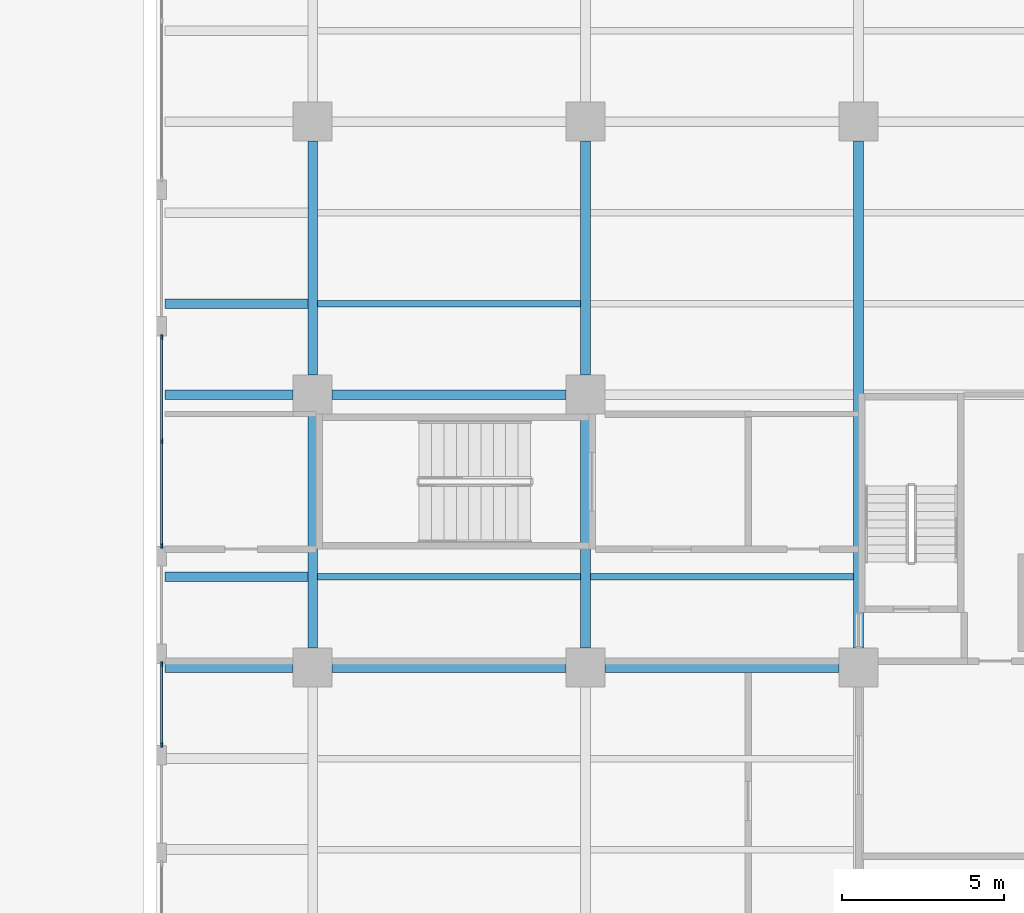
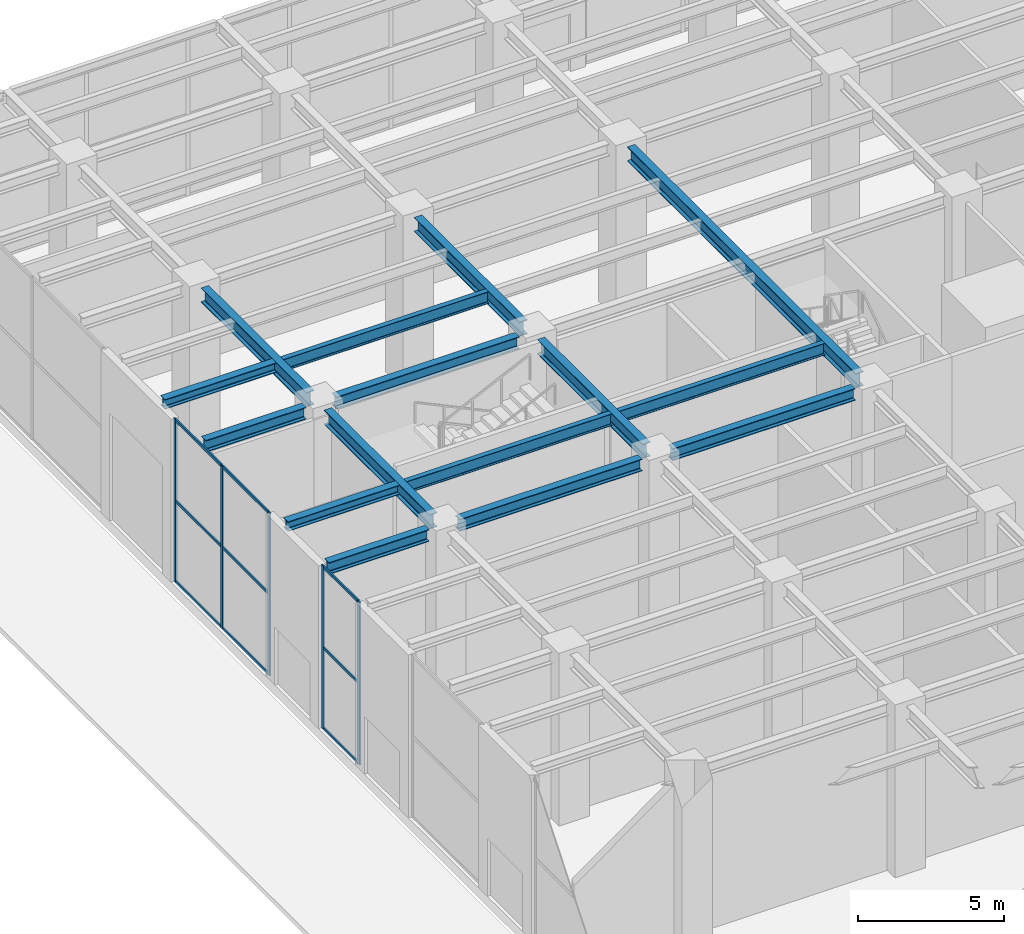
# One storey, part 15 of 43: 15 beams, 14 members, 2 elements without a shape of their own.
"""IFC4 building model written with IfcOpenShell, lengths in metres."""

from ifc_helpers import new_model, si_unit, direction, frame, origin, origin_2d, place, context, subcontext, project, spatial, rectangle, i_section, extrude, material, material_profile, profile_set, type_object, element, aggregate, save


model = new_model("IFC4")

# Units and contexts
model_context = context("Model", 3, precision=1e-05, world=origin(), true_north=direction((0.0, 1.0)))
body_context = subcontext(model_context, "Body", "Model", "MODEL_VIEW")
ifc_project = project(units=[si_unit("LENGTHUNIT", "METRE"), si_unit("AREAUNIT", "SQUARE_METRE"), si_unit("VOLUMEUNIT", "CUBIC_METRE"), si_unit("PLANEANGLEUNIT", "RADIAN"), si_unit("MASSUNIT", "GRAM", prefix="KILO")], contexts=[model_context])

# Site, building, storey
site_placement = place(None, origin())
site = spatial("IfcSite", under=ifc_project, at=site_placement, CompositionType="ELEMENT")
building_placement = place(site_placement, origin())
building = spatial("IfcBuilding", under=site, at=building_placement, Name="Khepri Terraces", CompositionType="ELEMENT")
storey_placement = place(building_placement, origin())
storey = spatial("IfcBuildingStorey", under=building, at=storey_placement, Name="L00", CompositionType="ELEMENT", Elevation=0.0)

# Curtain wall, members
ifc_material_1 = material(Name="Anodised aluminium bronze curtain wall", Category="aluminium")
curtain_wall_type = type_object("IfcCurtainWallType", Name="CW-SYS1-LOBBY", PredefinedType="NOTDEFINED", material=ifc_material_1)
curtain_wall_1_placement = place(storey_placement, origin())
curtain_wall_1 = element("IfcCurtainWall", 1, at=curtain_wall_1_placement, inside=storey, type_object=curtain_wall_type, Name="Curtain wall CW1 L00 W", PredefinedType="NOTDEFINED")
ifc_material_2 = material(Name="Anodised aluminium bronze", Category="aluminium")
ifc_material_profile_1 = material_profile(ifc_material_2, rectangle(XDim=0.06005859375, YDim=0.159912109375, at=origin_2d()), Name="Anodised aluminium bronze", Category="aluminium")
ifc_profile_set_1 = profile_set([ifc_material_profile_1], Name="Anodised aluminium bronze")
member_type_1 = type_object("IfcMemberType", Name="CW-MULLION-60x160", PredefinedType="MULLION", material=ifc_profile_set_1)
member_1_placement = place(storey_placement, frame((-46.64990234375, 26.969970703125, 0.0), z_axis=(0.0, 0.0, 1.0), x_axis=(1.0, 0.0, 0.0)))
member_1 = element("IfcMember", 2, at=member_1_placement, type_object=member_type_1, Name="CW1 mullion 1", PredefinedType="MULLION", context=body_context, shape_type="SweptSolid", body=[
    extrude(rectangle(XDim=0.06005859375, YDim=0.159912109375, at=origin_2d()), origin(), (0.0, 0.0, 1.0), 6.780029296875),
])
member_2_placement = place(storey_placement, frame((-46.64990234375, 23.762451171875, 0.0), z_axis=(0.0, 0.0, 1.0), x_axis=(1.0, 0.0, 0.0)))
member_2 = element("IfcMember", 3, at=member_2_placement, type_object=member_type_1, Name="CW1 mullion 2", PredefinedType="MULLION", context=body_context, shape_type="SweptSolid", body=[
    extrude(rectangle(XDim=0.06005859375, YDim=0.159912109375, at=origin_2d()), origin(), (0.0, 0.0, 1.0), 6.780029296875),
])
member_3_placement = place(storey_placement, frame((-46.64990234375, 20.554931640625, 0.0), z_axis=(0.0, 0.0, 1.0), x_axis=(1.0, 0.0, 0.0)))
member_3 = element("IfcMember", 4, at=member_3_placement, type_object=member_type_1, Name="CW1 mullion 3", PredefinedType="MULLION", context=body_context, shape_type="SweptSolid", body=[
    extrude(rectangle(XDim=0.06005859375, YDim=0.159912109375, at=origin_2d()), origin(), (0.0, 0.0, 1.0), 6.780029296875),
])

curtain_wall_2_placement = place(storey_placement, origin())
curtain_wall_2 = element("IfcCurtainWall", 5, at=curtain_wall_2_placement, inside=storey, type_object=curtain_wall_type, Name="Curtain wall CW1 L00 W", PredefinedType="NOTDEFINED")
member_4_placement = place(storey_placement, frame((-46.64990234375, 16.89501953125, 0.0), z_axis=(0.0, 0.0, 1.0), x_axis=(1.0, 0.0, 0.0)))
member_4 = element("IfcMember", 6, at=member_4_placement, type_object=member_type_1, Name="CW1 mullion 1", PredefinedType="MULLION", context=body_context, shape_type="SweptSolid", body=[
    extrude(rectangle(XDim=0.06005859375, YDim=0.159912109375, at=origin_2d()), origin(), (0.0, 0.0, 1.0), 6.780029296875),
])
member_5_placement = place(storey_placement, frame((-46.64990234375, 14.429931640625, 0.0), z_axis=(0.0, 0.0, 1.0), x_axis=(1.0, 0.0, 0.0)))
member_5 = element("IfcMember", 7, at=member_5_placement, type_object=member_type_1, Name="CW1 mullion 2", PredefinedType="MULLION", context=body_context, shape_type="SweptSolid", body=[
    extrude(rectangle(XDim=0.06005859375, YDim=0.159912109375, at=origin_2d()), origin(), (0.0, 0.0, 1.0), 6.780029296875),
])

# Member
ifc_material_profile_2 = material_profile(ifc_material_2, rectangle(XDim=0.06005859375, YDim=0.1201171875, at=origin_2d()), Name="Anodised aluminium bronze", Category="aluminium")
ifc_profile_set_2 = profile_set([ifc_material_profile_2], Name="Anodised aluminium bronze")
member_type_2 = type_object("IfcMemberType", Name="CW-TRANSOM-60x120", PredefinedType="USERDEFINED", material=ifc_profile_set_2)
member_6_placement = place(storey_placement, frame((-46.64990234375, 26.93994140625, 0.030029296875), z_axis=(0.0, -1.0, 0.0), x_axis=(1.0, 0.0, 0.0)))
member_6 = element("IfcMember", 8, at=member_6_placement, type_object=member_type_2, Name="CW1 transom 1.1", ObjectType="TRANSOM", PredefinedType="USERDEFINED", context=body_context, shape_type="SweptSolid", body=[
    extrude(rectangle(XDim=0.06005859375, YDim=0.1201171875, at=origin_2d()), origin(), (0.0, 0.0, 1.0), 3.1474609375),
])

member_7_placement = place(storey_placement, frame((-46.64990234375, 26.93994140625, 3.389892578125), z_axis=(0.0, -1.0, 0.0), x_axis=(1.0, 0.0, 0.0)))
member_7 = element("IfcMember", 9, at=member_7_placement, type_object=member_type_2, Name="CW1 transom 1.2", ObjectType="TRANSOM", PredefinedType="USERDEFINED", context=body_context, shape_type="SweptSolid", body=[
    extrude(rectangle(XDim=0.06005859375, YDim=0.1201171875, at=origin_2d()), origin(), (0.0, 0.0, 1.0), 3.1474609375),
])

member_8_placement = place(storey_placement, frame((-46.64990234375, 26.93994140625, 6.75), z_axis=(0.0, -1.0, 0.0), x_axis=(1.0, 0.0, 0.0)))
member_8 = element("IfcMember", 10, at=member_8_placement, type_object=member_type_2, Name="CW1 transom 1.3", ObjectType="TRANSOM", PredefinedType="USERDEFINED", context=body_context, shape_type="SweptSolid", body=[
    extrude(rectangle(XDim=0.06005859375, YDim=0.1201171875, at=origin_2d()), origin(), (0.0, 0.0, 1.0), 3.1474609375),
])

member_9_placement = place(storey_placement, frame((-46.64990234375, 23.732421875, 0.030029296875), z_axis=(0.0, -1.0, 0.0), x_axis=(1.0, 0.0, 0.0)))
member_9 = element("IfcMember", 11, at=member_9_placement, type_object=member_type_2, Name="CW1 transom 2.1", ObjectType="TRANSOM", PredefinedType="USERDEFINED", context=body_context, shape_type="SweptSolid", body=[
    extrude(rectangle(XDim=0.06005859375, YDim=0.1201171875, at=origin_2d()), origin(), (0.0, 0.0, 1.0), 3.1474609375),
])

member_10_placement = place(storey_placement, frame((-46.64990234375, 23.732421875, 3.389892578125), z_axis=(0.0, -1.0, 0.0), x_axis=(1.0, 0.0, 0.0)))
member_10 = element("IfcMember", 12, at=member_10_placement, type_object=member_type_2, Name="CW1 transom 2.2", ObjectType="TRANSOM", PredefinedType="USERDEFINED", context=body_context, shape_type="SweptSolid", body=[
    extrude(rectangle(XDim=0.06005859375, YDim=0.1201171875, at=origin_2d()), origin(), (0.0, 0.0, 1.0), 3.1474609375),
])

member_11_placement = place(storey_placement, frame((-46.64990234375, 23.732421875, 6.75), z_axis=(0.0, -1.0, 0.0), x_axis=(1.0, 0.0, 0.0)))
member_11 = element("IfcMember", 13, at=member_11_placement, type_object=member_type_2, Name="CW1 transom 2.3", ObjectType="TRANSOM", PredefinedType="USERDEFINED", context=body_context, shape_type="SweptSolid", body=[
    extrude(rectangle(XDim=0.06005859375, YDim=0.1201171875, at=origin_2d()), origin(), (0.0, 0.0, 1.0), 3.1474609375),
])

aggregate(curtain_wall_1, [member_1, member_2, member_3, member_6, member_7, member_8, member_9, member_10, member_11])

member_12_placement = place(storey_placement, frame((-46.64990234375, 16.864990234375, 0.030029296875), z_axis=(0.0, -1.0, 0.0), x_axis=(1.0, 0.0, 0.0)))
member_12 = element("IfcMember", 14, at=member_12_placement, type_object=member_type_2, Name="CW1 transom 1.1", ObjectType="TRANSOM", PredefinedType="USERDEFINED", context=body_context, shape_type="SweptSolid", body=[
    extrude(rectangle(XDim=0.06005859375, YDim=0.1201171875, at=origin_2d()), origin(), (0.0, 0.0, 1.0), 2.405029296875),
])

member_13_placement = place(storey_placement, frame((-46.64990234375, 16.864990234375, 3.389892578125), z_axis=(0.0, -1.0, 0.0), x_axis=(1.0, 0.0, 0.0)))
member_13 = element("IfcMember", 15, at=member_13_placement, type_object=member_type_2, Name="CW1 transom 1.2", ObjectType="TRANSOM", PredefinedType="USERDEFINED", context=body_context, shape_type="SweptSolid", body=[
    extrude(rectangle(XDim=0.06005859375, YDim=0.1201171875, at=origin_2d()), origin(), (0.0, 0.0, 1.0), 2.405029296875),
])

member_14_placement = place(storey_placement, frame((-46.64990234375, 16.864990234375, 6.75), z_axis=(0.0, -1.0, 0.0), x_axis=(1.0, 0.0, 0.0)))
member_14 = element("IfcMember", 16, at=member_14_placement, type_object=member_type_2, Name="CW1 transom 1.3", ObjectType="TRANSOM", PredefinedType="USERDEFINED", context=body_context, shape_type="SweptSolid", body=[
    extrude(rectangle(XDim=0.06005859375, YDim=0.1201171875, at=origin_2d()), origin(), (0.0, 0.0, 1.0), 2.405029296875),
])

aggregate(curtain_wall_2, [member_4, member_5, member_12, member_13, member_14])

# Beams
ifc_material_3 = material(Name="Steel S355", Category="steel")
ifc_material_profile_3 = material_profile(ifc_material_3, i_section(OverallWidth=0.300048828125, OverallDepth=0.39990234375, WebThickness=0.013427734375, FlangeThickness=0.02392578125, FilletRadius=0.027099609375, at=origin_2d()), Name="Steel S355", Category="steel")
ifc_profile_set_3 = profile_set([ifc_material_profile_3], Name="Steel S355")
beam_type_1 = type_object("IfcBeamType", Name="Podium cantilever joist L01 HEB 400", PredefinedType="JOIST", material=ifc_profile_set_3)
for number, where, z_axis, x_axis, name in (
    (17, (-46.550048828125, 19.60009765625, 6.800048828125), (1.0, 0.0, 0.0), (0.0, 1.0, 0.0), "Podium cantilever joist L01 179"),
    (18, (-46.550048828125, 28.0, 6.800048828125), (1.0, 0.0, 0.0), (0.0, 1.0, 0.0), "Podium cantilever joist L01 195"),
):
    element("IfcBeam", number, at=place(storey_placement, frame(where, z_axis=z_axis, x_axis=x_axis)), inside=storey, type_object=beam_type_1, Name=name, PredefinedType="JOIST", context=body_context, shape_type="SweptSolid", body=[
        extrude(i_section(OverallWidth=0.300048828125, OverallDepth=0.39990234375, WebThickness=0.013427734375, FlangeThickness=0.02392578125, FilletRadius=0.027099609375, at=origin_2d()), origin(), (0.0, 0.0, 1.0), 4.400146484375),
    ])
ifc_material_profile_4 = material_profile(ifc_material_3, i_section(OverallWidth=0.300048828125, OverallDepth=0.60009765625, WebThickness=0.015380859375, FlangeThickness=0.030029296875, FilletRadius=0.027099609375, at=origin_2d()), Name="Steel S355", Category="steel")
ifc_profile_set_4 = profile_set([ifc_material_profile_4], Name="Steel S355")
beam_type_2 = type_object("IfcBeamType", Name="Podium girder L01 HEB 600", PredefinedType="BEAM", material=ifc_profile_set_4)
beam_1_placement = place(storey_placement, frame((-42.0, 17.39990234375, 6.699951171875), z_axis=(0.0, 1.0, 0.0), x_axis=(-1.0, 0.0, 0.0)))
element("IfcBeam", 19, at=beam_1_placement, inside=storey, type_object=beam_type_2, Name="Podium girder L01 009", PredefinedType="BEAM", context=body_context, shape_type="SweptSolid", body=[
    extrude(i_section(OverallWidth=0.300048828125, OverallDepth=0.60009765625, WebThickness=0.015380859375, FlangeThickness=0.030029296875, FilletRadius=0.027099609375, at=origin_2d()), origin(), (0.0, 0.0, 1.0), 7.2001953125),
])
beam_2_placement = place(storey_placement, frame((-42.0, 25.800048828125, 6.699951171875), z_axis=(0.0, 1.0, 0.0), x_axis=(-1.0, 0.0, 0.0)))
element("IfcBeam", 20, at=beam_2_placement, inside=storey, type_object=beam_type_2, Name="Podium girder L01 010", PredefinedType="BEAM", context=body_context, shape_type="SweptSolid", body=[
    extrude(i_section(OverallWidth=0.300048828125, OverallDepth=0.60009765625, WebThickness=0.015380859375, FlangeThickness=0.030029296875, FilletRadius=0.027099609375, at=origin_2d()), origin(), (0.0, 0.0, 1.0), 7.199951171875),
])
beam_3_placement = place(storey_placement, frame((-33.60009765625, 17.39990234375, 6.699951171875), z_axis=(0.0, 1.0, 0.0), x_axis=(-1.0, 0.0, 0.0)))
element("IfcBeam", 21, at=beam_3_placement, inside=storey, type_object=beam_type_2, Name="Podium girder L01 021", PredefinedType="BEAM", context=body_context, shape_type="SweptSolid", body=[
    extrude(i_section(OverallWidth=0.300048828125, OverallDepth=0.60009765625, WebThickness=0.015380859375, FlangeThickness=0.030029296875, FilletRadius=0.027099609375, at=origin_2d()), origin(), (0.0, 0.0, 1.0), 7.2001953125),
])
beam_4_placement = place(storey_placement, frame((-33.60009765625, 25.800048828125, 6.699951171875), z_axis=(0.0, 1.0, 0.0), x_axis=(-1.0, 0.0, 0.0)))
element("IfcBeam", 22, at=beam_4_placement, inside=storey, type_object=beam_type_2, Name="Podium girder L01 022", PredefinedType="BEAM", context=body_context, shape_type="SweptSolid", body=[
    extrude(i_section(OverallWidth=0.300048828125, OverallDepth=0.60009765625, WebThickness=0.015380859375, FlangeThickness=0.030029296875, FilletRadius=0.027099609375, at=origin_2d()), origin(), (0.0, 0.0, 1.0), 7.199951171875),
])
beam_5_placement = place(storey_placement, frame((-25.199951171875, 17.39990234375, 6.699951171875), z_axis=(0.0, 1.0, 0.0), x_axis=(-1.0, 0.0, 0.0)))
element("IfcBeam", 23, at=beam_5_placement, inside=storey, type_object=beam_type_2, Name="Podium girder L01 032", PredefinedType="BEAM", context=body_context, shape_type="SweptSolid", body=[
    extrude(i_section(OverallWidth=0.300048828125, OverallDepth=0.60009765625, WebThickness=0.015380859375, FlangeThickness=0.030029296875, FilletRadius=0.027099609375, at=origin_2d()), origin(), (0.0, 0.0, 1.0), 15.60009765625),
])
ifc_material_profile_5 = material_profile(ifc_material_3, i_section(OverallWidth=0.300048828125, OverallDepth=0.5, WebThickness=0.014404296875, FlangeThickness=0.028076171875, FilletRadius=0.027099609375, at=origin_2d()), Name="Steel S355", Category="steel")
ifc_profile_set_5 = profile_set([ifc_material_profile_5], Name="Steel S355")
beam_type_3 = type_object("IfcBeamType", Name="Podium girder L01 grid line HEB 500", PredefinedType="BEAM", material=ifc_profile_set_5)
beam_6_placement = place(storey_placement, frame((-46.550048828125, 16.800048828125, 6.75), z_axis=(1.0, 0.0, 0.0), x_axis=(0.0, 1.0, 0.0)))
element("IfcBeam", 24, at=beam_6_placement, inside=storey, type_object=beam_type_3, Name="Podium grid-line girder L01 173", PredefinedType="BEAM", context=body_context, shape_type="SweptSolid", body=[
    extrude(i_section(OverallWidth=0.300048828125, OverallDepth=0.5, WebThickness=0.014404296875, FlangeThickness=0.028076171875, FilletRadius=0.027099609375, at=origin_2d()), origin(), (0.0, 0.0, 1.0), 3.949951171875),
])
for number, where, z_axis, x_axis, name in (
    (25, (-41.39990234375, 16.800048828125, 6.75), (1.0, 0.0, 0.0), (0.0, 1.0, 0.0), "Podium grid-line girder L01 174"),
    (26, (-33.0, 16.800048828125, 6.75), (1.0, 0.0, 0.0), (0.0, 1.0, 0.0), "Podium grid-line girder L01 175"),
):
    element("IfcBeam", number, at=place(storey_placement, frame(where, z_axis=z_axis, x_axis=x_axis)), inside=storey, type_object=beam_type_3, Name=name, PredefinedType="BEAM", context=body_context, shape_type="SweptSolid", body=[
        extrude(i_section(OverallWidth=0.300048828125, OverallDepth=0.5, WebThickness=0.014404296875, FlangeThickness=0.028076171875, FilletRadius=0.027099609375, at=origin_2d()), origin(), (0.0, 0.0, 1.0), 7.199951171875),
    ])
beam_7_placement = place(storey_placement, frame((-46.550048828125, 25.199951171875, 6.75), z_axis=(1.0, 0.0, 0.0), x_axis=(0.0, 1.0, 0.0)))
element("IfcBeam", 27, at=beam_7_placement, inside=storey, type_object=beam_type_3, Name="Podium grid-line girder L01 185", PredefinedType="BEAM", context=body_context, shape_type="SweptSolid", body=[
    extrude(i_section(OverallWidth=0.300048828125, OverallDepth=0.5, WebThickness=0.014404296875, FlangeThickness=0.028076171875, FilletRadius=0.027099609375, at=origin_2d()), origin(), (0.0, 0.0, 1.0), 3.949951171875),
])
beam_8_placement = place(storey_placement, frame((-41.39990234375, 25.199951171875, 6.75), z_axis=(1.0, 0.0, 0.0), x_axis=(0.0, 1.0, 0.0)))
element("IfcBeam", 28, at=beam_8_placement, inside=storey, type_object=beam_type_3, Name="Podium grid-line girder L01 186", PredefinedType="BEAM", context=body_context, shape_type="SweptSolid", body=[
    extrude(i_section(OverallWidth=0.300048828125, OverallDepth=0.5, WebThickness=0.014404296875, FlangeThickness=0.028076171875, FilletRadius=0.027099609375, at=origin_2d()), origin(), (0.0, 0.0, 1.0), 7.199951171875),
])
ifc_material_profile_6 = material_profile(ifc_material_3, i_section(OverallWidth=0.199951171875, OverallDepth=0.5, WebThickness=0.01025390625, FlangeThickness=0.01611328125, FilletRadius=0.02099609375, at=origin_2d()), Name="Steel S355", Category="steel")
ifc_profile_set_6 = profile_set([ifc_material_profile_6], Name="Steel S355")
beam_type_4 = type_object("IfcBeamType", Name="Podium joist L01 IPE 500", PredefinedType="JOIST", material=ifc_profile_set_6)
beam_9_placement = place(storey_placement, frame((-41.85009765625, 19.60009765625, 6.75), z_axis=(1.0, 0.0, 0.0), x_axis=(0.0, 1.0, 0.0)))
element("IfcBeam", 29, at=beam_9_placement, inside=storey, type_object=beam_type_4, Name="Podium joist L01 180", PredefinedType="JOIST", context=body_context, shape_type="SweptSolid", body=[
    extrude(i_section(OverallWidth=0.199951171875, OverallDepth=0.5, WebThickness=0.01025390625, FlangeThickness=0.01611328125, FilletRadius=0.02099609375, at=origin_2d()), origin(), (0.0, 0.0, 1.0), 8.10009765625),
])
beam_10_placement = place(storey_placement, frame((-33.449951171875, 19.60009765625, 6.75), z_axis=(1.0, 0.0, 0.0), x_axis=(0.0, 1.0, 0.0)))
element("IfcBeam", 30, at=beam_10_placement, inside=storey, type_object=beam_type_4, Name="Podium joist L01 181", PredefinedType="JOIST", context=body_context, shape_type="SweptSolid", body=[
    extrude(i_section(OverallWidth=0.199951171875, OverallDepth=0.5, WebThickness=0.01025390625, FlangeThickness=0.01611328125, FilletRadius=0.02099609375, at=origin_2d()), origin(), (0.0, 0.0, 1.0), 8.099853515625),
])
beam_11_placement = place(storey_placement, frame((-41.85009765625, 28.0, 6.75), z_axis=(1.0, 0.0, 0.0), x_axis=(0.0, 1.0, 0.0)))
element("IfcBeam", 31, at=beam_11_placement, inside=storey, type_object=beam_type_4, Name="Podium joist L01 196", PredefinedType="JOIST", context=body_context, shape_type="SweptSolid", body=[
    extrude(i_section(OverallWidth=0.199951171875, OverallDepth=0.5, WebThickness=0.01025390625, FlangeThickness=0.01611328125, FilletRadius=0.02099609375, at=origin_2d()), origin(), (0.0, 0.0, 1.0), 8.10009765625),
])

save(model, "model.ifc")
